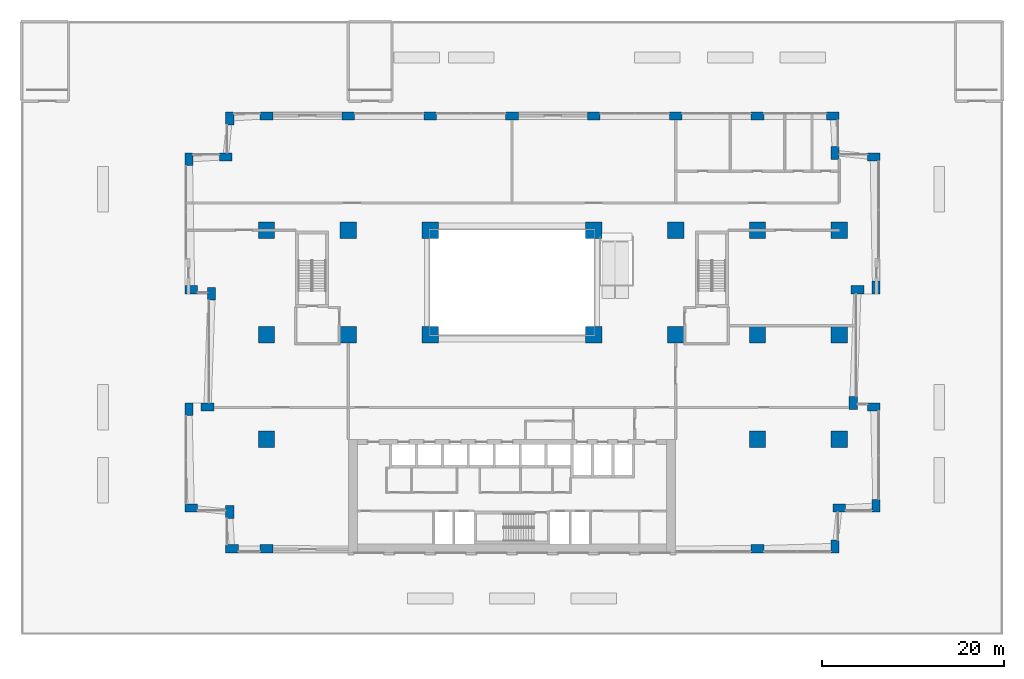
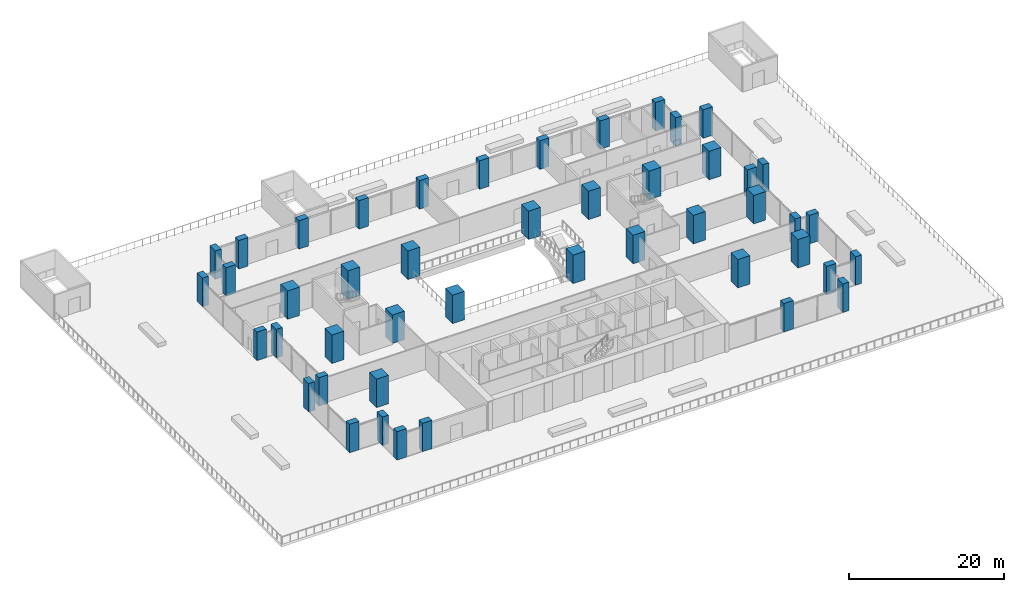
# One storey, part 1 of 19: 46 columns.
"""IFC4 building model written with IfcOpenShell, lengths in metres."""

from ifc_helpers import new_model, si_unit, direction, frame, origin, origin_2d, place, context, subcontext, project, spatial, rectangle, extrude, material, material_profile, profile_set, type_object, element, save


model = new_model("IFC4")

# Units and contexts
model_context = context("Model", 3, precision=1e-05, world=origin(), true_north=direction((0.0, 1.0)))
body_context = subcontext(model_context, "Body", "Model", "MODEL_VIEW")
ifc_project = project(units=[si_unit("LENGTHUNIT", "METRE"), si_unit("AREAUNIT", "SQUARE_METRE"), si_unit("VOLUMEUNIT", "CUBIC_METRE"), si_unit("PLANEANGLEUNIT", "RADIAN"), si_unit("MASSUNIT", "GRAM", prefix="KILO")], contexts=[model_context])

# Site, building, storey
site_placement = place(None, origin())
site = spatial("IfcSite", under=ifc_project, at=site_placement, CompositionType="ELEMENT")
building_placement = place(site_placement, origin())
building = spatial("IfcBuilding", under=site, at=building_placement, Name="Brigalow Station Residences", CompositionType="ELEMENT")
storey_placement = place(building_placement, frame((0.0, 0.0, 11.0)))
storey = spatial("IfcBuildingStorey", under=building, at=storey_placement, Name="L02", CompositionType="ELEMENT", Elevation=11.0)

# Columns
ifc_material_1 = material(Name="Concrete C80", Category="concrete")
ifc_material_profile_1 = material_profile(ifc_material_1, rectangle(XDim=1.800048828125, YDim=1.800048828125, at=origin_2d()), Name="RC1800x1800")
ifc_profile_set_1 = profile_set([ifc_material_profile_1], Name="Concrete C80")
column_type_1 = type_object("IfcColumnType", Name="COLUMN 1800x1800 C80", PredefinedType="COLUMN", material=ifc_profile_set_1)
for number, where, z_axis, x_axis, name in (
    (1, (9.0, 12.5, 0.0), (0.0, 0.0, 1.0), (1.0, 0.0, 0.0), "COLUMN B1 L02"),
    (2, (9.0, 24.0, 0.0), (0.0, 0.0, 1.0), (1.0, 0.0, 0.0), "COLUMN C1 L02"),
    (3, (9.0, 35.5, 0.0), (0.0, 0.0, 1.0), (1.0, 0.0, 0.0), "COLUMN D1 L02"),
    (4, (18.0, 24.0, 0.0), (0.0, 0.0, 1.0), (1.0, 0.0, 0.0), "COLUMN C2 L02"),
    (5, (18.0, 35.5, 0.0), (0.0, 0.0, 1.0), (1.0, 0.0, 0.0), "COLUMN D2 L02"),
    (6, (27.0, 24.0, 0.0), (0.0, 0.0, 1.0), (1.0, 0.0, 0.0), "COLUMN C3 L02"),
    (7, (27.0, 35.5, 0.0), (0.0, 0.0, 1.0), (1.0, 0.0, 0.0), "COLUMN D3 L02"),
    (8, (45.0, 24.0, 0.0), (0.0, 0.0, 1.0), (1.0, 0.0, 0.0), "COLUMN C5 L02"),
    (9, (45.0, 35.5, 0.0), (0.0, 0.0, 1.0), (1.0, 0.0, 0.0), "COLUMN D5 L02"),
    (10, (54.0, 24.0, 0.0), (0.0, 0.0, 1.0), (1.0, 0.0, 0.0), "COLUMN C6 L02"),
    (11, (54.0, 35.5, 0.0), (0.0, 0.0, 1.0), (1.0, 0.0, 0.0), "COLUMN D6 L02"),
    (12, (63.0, 12.5, 0.0), (0.0, 0.0, 1.0), (1.0, 0.0, 0.0), "COLUMN B7 L02"),
    (13, (63.0, 24.0, 0.0), (0.0, 0.0, 1.0), (1.0, 0.0, 0.0), "COLUMN C7 L02"),
    (14, (63.0, 35.5, 0.0), (0.0, 0.0, 1.0), (1.0, 0.0, 0.0), "COLUMN D7 L02"),
    (15, (72.0, 12.5, 0.0), (0.0, 0.0, 1.0), (1.0, 0.0, 0.0), "COLUMN B8 L02"),
    (16, (72.0, 24.0, 0.0), (0.0, 0.0, 1.0), (1.0, 0.0, 0.0), "COLUMN C8 L02"),
    (17, (72.0, 35.5, 0.0), (0.0, 0.0, 1.0), (1.0, 0.0, 0.0), "COLUMN D8 L02"),
):
    element("IfcColumn", number, at=place(storey_placement, frame(where, z_axis=z_axis, x_axis=x_axis)), inside=storey, type_object=column_type_1, Name=name, PredefinedType="COLUMN", context=body_context, shape_type="SweptSolid", body=[
        extrude(rectangle(XDim=1.800048828125, YDim=1.800048828125, at=origin_2d()), origin(), (0.0, 0.0, 1.0), 4.5),
    ])
ifc_material_2 = material(Name="Concrete C80", Category="concrete")
ifc_material_profile_2 = material_profile(ifc_material_2, rectangle(XDim=1.39990234375, YDim=0.89990234375, at=origin_2d()), Name="RC1400x900")
ifc_profile_set_2 = profile_set([ifc_material_profile_2], Name="Concrete C80")
column_type_2 = type_object("IfcColumnType", Name="PIER 1400x900 C80", PredefinedType="USERDEFINED", material=ifc_profile_set_2)
for number, where, z_axis, x_axis, name in (
    (18, (9.0, 0.449951171875, 0.0), (0.0, 0.0, 1.0), (1.0, 0.0, 0.0), "PIER S-2 L02"),
    (19, (63.0, 0.449951171875, 0.0), (0.0, 0.0, 1.0), (1.0, 0.0, 0.0), "PIER S-14 L02"),
    (20, (71.550048828125, 0.699951171875, 0.0), (0.0, 0.0, 1.0), (0.0, 1.0, 0.0), "PIER SE1-1 L02"),
    (21, (72.0, 4.949951171875, 0.0), (0.0, 0.0, 1.0), (1.0, 0.0, 0.0), "PIER SE2-1 L02"),
    (22, (76.050048828125, 5.199951171875, 0.0), (0.0, 0.0, 1.0), (0.0, 1.0, 0.0), "PIER E1-1 L02"),
    (23, (75.800048828125, 16.050048828125, 0.0), (0.0, 0.0, 1.0), (-1.0, 0.0, 0.0), "PIER EL1-1 L02"),
    (24, (73.550048828125, 16.5, 0.0), (0.0, 0.0, 1.0), (0.0, 1.0, 0.0), "PIER EL2-1 L02"),
    (25, (74.0, 28.949951171875, 0.0), (0.0, 0.0, 1.0), (1.0, 0.0, 0.0), "PIER EL3-1 L02"),
    (26, (76.050048828125, 29.199951171875, 0.0), (0.0, 0.0, 1.0), (0.0, 1.0, 0.0), "PIER E2-1 L02"),
    (27, (75.800048828125, 43.550048828125, 0.0), (0.0, 0.0, 1.0), (-1.0, 0.0, 0.0), "PIER NE1-1 L02"),
    (28, (71.550048828125, 44.0, 0.0), (0.0, 0.0, 1.0), (0.0, 1.0, 0.0), "PIER NE2-1 L02"),
    (29, (71.300048828125, 48.050048828125, 0.0), (0.0, 0.0, 1.0), (-1.0, 0.0, 0.0), "PIER N-1 L02"),
    (30, (63.0, 48.050048828125, 0.0), (0.0, 0.0, 1.0), (-1.0, 0.0, 0.0), "PIER N-3 L02"),
    (31, (54.0, 48.050048828125, 0.0), (0.0, 0.0, 1.0), (-1.0, 0.0, 0.0), "PIER N-5 L02"),
    (32, (45.0, 48.050048828125, 0.0), (0.0, 0.0, 1.0), (-1.0, 0.0, 0.0), "PIER N-7 L02"),
    (33, (36.0, 48.050048828125, 0.0), (0.0, 0.0, 1.0), (-1.0, 0.0, 0.0), "PIER N-9 L02"),
    (34, (27.0, 48.050048828125, 0.0), (0.0, 0.0, 1.0), (-1.0, 0.0, 0.0), "PIER N-11 L02"),
    (35, (18.0, 48.050048828125, 0.0), (0.0, 0.0, 1.0), (-1.0, 0.0, 0.0), "PIER N-13 L02"),
    (36, (9.0, 48.050048828125, 0.0), (0.0, 0.0, 1.0), (-1.0, 0.0, 0.0), "PIER N-15 L02"),
    (37, (4.949951171875, 47.800048828125, 0.0), (0.0, 0.0, 1.0), (0.0, -1.0, 0.0), "PIER NW1-1 L02"),
    (38, (4.5, 43.550048828125, 0.0), (0.0, 0.0, 1.0), (-1.0, 0.0, 0.0), "PIER NW2-1 L02"),
    (39, (0.449951171875, 43.300048828125, 0.0), (0.0, 0.0, 1.0), (0.0, -1.0, 0.0), "PIER W2-1 L02"),
    (40, (0.699951171875, 28.949951171875, 0.0), (0.0, 0.0, 1.0), (1.0, 0.0, 0.0), "PIER WL1-1 L02"),
    (41, (2.949951171875, 28.5, 0.0), (0.0, 0.0, 1.0), (0.0, -1.0, 0.0), "PIER WL2-1 L02"),
    (42, (2.5, 16.050048828125, 0.0), (0.0, 0.0, 1.0), (-1.0, 0.0, 0.0), "PIER WL3-1 L02"),
    (43, (0.449951171875, 15.800048828125, 0.0), (0.0, 0.0, 1.0), (0.0, -1.0, 0.0), "PIER W1-1 L02"),
    (44, (0.699951171875, 4.949951171875, 0.0), (0.0, 0.0, 1.0), (1.0, 0.0, 0.0), "PIER SW1-1 L02"),
    (45, (4.949951171875, 4.5, 0.0), (0.0, 0.0, 1.0), (0.0, -1.0, 0.0), "PIER SW2-1 L02"),
    (46, (5.199951171875, 0.449951171875, 0.0), (0.0, 0.0, 1.0), (1.0, 0.0, 0.0), "PIER S-1 L02"),
):
    element("IfcColumn", number, at=place(storey_placement, frame(where, z_axis=z_axis, x_axis=x_axis)), inside=storey, type_object=column_type_2, Name=name, ObjectType="PIER", PredefinedType="USERDEFINED", context=body_context, shape_type="SweptSolid", body=[
        extrude(rectangle(XDim=1.39990234375, YDim=0.89990234375, at=origin_2d()), origin(), (0.0, 0.0, 1.0), 4.5),
    ])

save(model, "model.ifc")
